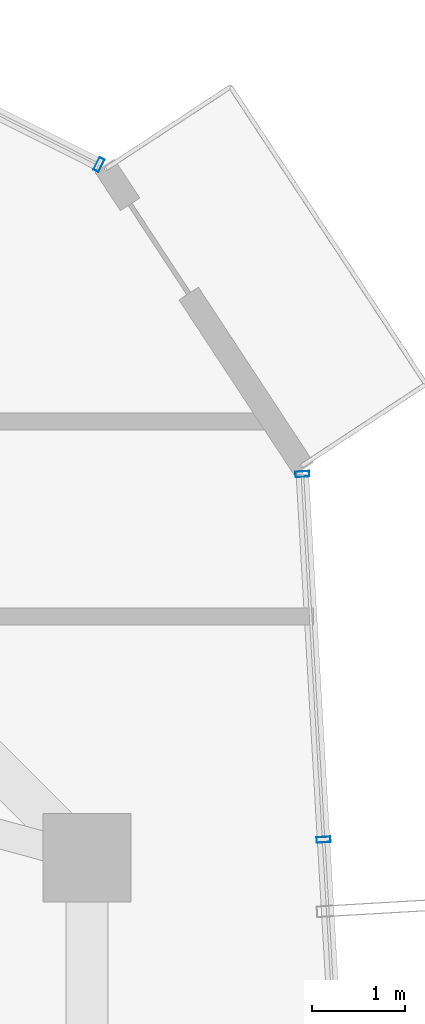
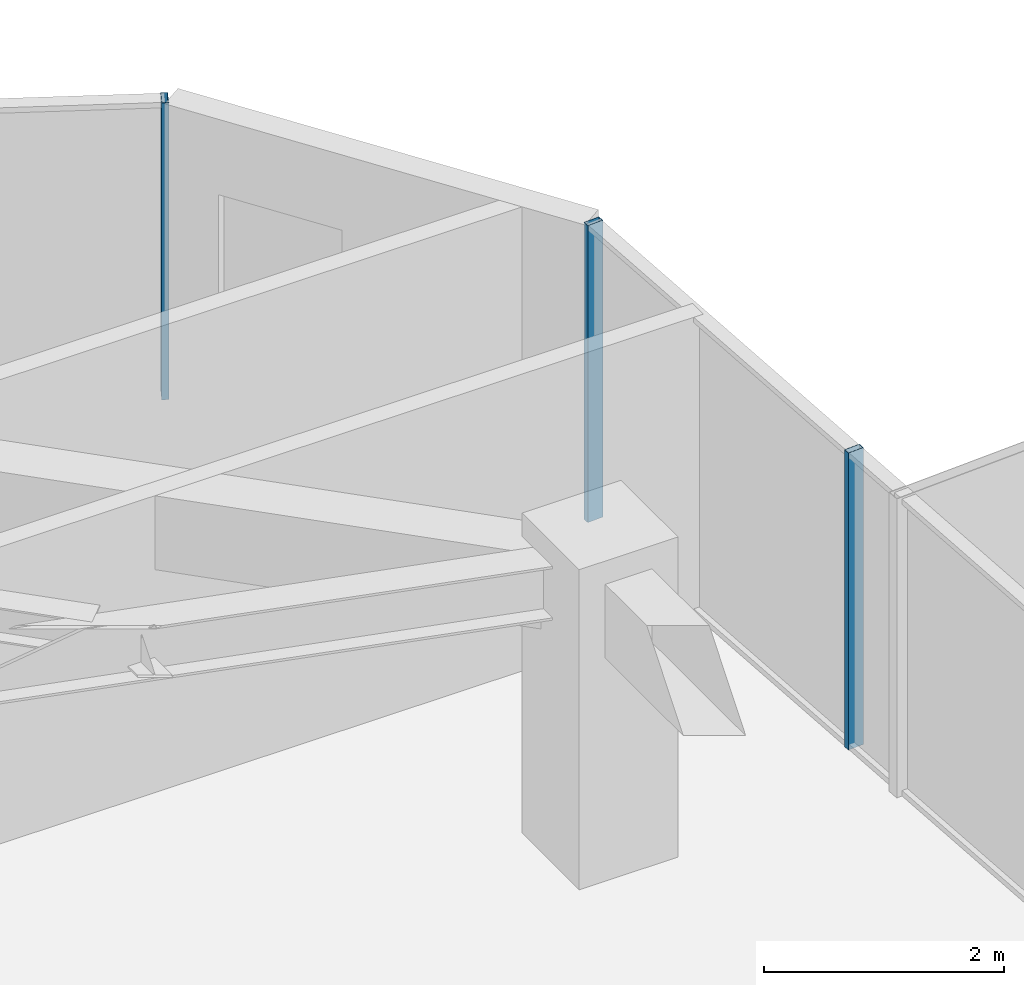
# One storey, part 21 of 33: 3 members, 2 elements without a shape of their own.
"""IFC4 building model written with IfcOpenShell, lengths in metres."""

from ifc_helpers import new_model, si_unit, direction, frame, origin, origin_2d, place, context, subcontext, project, spatial, hollow_rectangle, extrude, source, transform, mapped, material, layer, layer_set, material_profile, profile_set, type_object, element, aggregate, save


model = new_model("IFC4")

# Units and contexts
model_context = context("Model", 3, precision=1e-05, world=origin(), true_north=direction((0.0, 1.0)))
body_context = subcontext(model_context, "Body", "Model", "MODEL_VIEW")
ifc_project = project(units=[si_unit("LENGTHUNIT", "METRE"), si_unit("AREAUNIT", "SQUARE_METRE"), si_unit("VOLUMEUNIT", "CUBIC_METRE"), si_unit("PLANEANGLEUNIT", "RADIAN"), si_unit("MASSUNIT", "GRAM", prefix="KILO")], contexts=[model_context])

# Site, building, storey
site_placement = place(None, origin())
site = spatial("IfcSite", under=ifc_project, at=site_placement, CompositionType="ELEMENT")
building_placement = place(site_placement, origin())
building = spatial("IfcBuilding", under=site, at=building_placement, Name="Veraguas Prism Commons", CompositionType="ELEMENT")
storey_placement = place(building_placement, frame((0.0, 0.0, 195.10009765625)))
storey = spatial("IfcBuildingStorey", under=building, at=storey_placement, Name="L55", CompositionType="ELEMENT", Elevation=195.10009765625)

# Curtain wall, member
ifc_material = material(Name="Anodised aluminium EN AW-6063 T6", Category="aluminium")
ifc_layer = layer(ifc_material, 0.14990234375, Name="Unitised Flush Curtain Wall Zone 3", Category="aluminium")
ifc_layer_set = layer_set([ifc_layer], Name="Anodised aluminium EN AW-6063 T6")
curtain_wall_type = type_object("IfcCurtainWallType", Name="Unitised Flush Curtain Wall Zone 3", PredefinedType="NOTDEFINED", material=ifc_layer_set)
curtain_wall_1_placement = place(storey_placement, origin())
curtain_wall_1 = element("IfcCurtainWall", 1, at=curtain_wall_1_placement, inside=storey, type_object=curtain_wall_type, Name="Tower Facade Curtain Wall L55-F1", PredefinedType="NOTDEFINED")
ifc_material_profile = material_profile(ifc_material, hollow_rectangle(XDim=0.06005859375, YDim=0.14990234375, WallThickness=0.0029296875, at=origin_2d()), Name="AL60X150X3")
ifc_profile_set = profile_set([ifc_material_profile], Name="Anodised aluminium EN AW-6063 T6")
member_type = type_object("IfcMemberType", Name="Curtain Wall Mullion Upper AL 60x150x3", PredefinedType="MULLION", material=ifc_profile_set)
shared_shape = source(origin(), body_context, "Body", "SweptSolid", [
    extrude(hollow_rectangle(XDim=0.06005859375, YDim=0.14990234375, WallThickness=0.0029296875, at=origin_2d()), origin(), (0.0, 0.0, 1.0), 3.014892578125),
])
member_1_placement = place(storey_placement, frame((39.02978515625, 36.267822265625, 0.0), z_axis=(0.0, 0.0, 1.0), x_axis=(-0.893525824808, 0.449011804301, 0.0)))
member_1 = element("IfcMember", 2, at=member_1_placement, type_object=member_type, Name="CW-Z3 Mullion 1", PredefinedType="MULLION", context=body_context, shape_type="MappedRepresentation", body=[
    mapped(shared_shape, transform((0.0, 0.0, 0.0), scale=1.0)),
])
aggregate(curtain_wall_1, [member_1])

# Curtain wall, members
curtain_wall_2_placement = place(storey_placement, origin())
curtain_wall_2 = element("IfcCurtainWall", 3, at=curtain_wall_2_placement, inside=storey, type_object=curtain_wall_type, Name="Tower Facade Curtain Wall L55-F6", PredefinedType="NOTDEFINED")
member_2_placement = place(storey_placement, frame((41.4501953125, 28.99462890625, 0.0), z_axis=(0.0, 0.0, 1.0), x_axis=(-0.05790902568, 0.998321864303, 0.0)))
member_2 = element("IfcMember", 4, at=member_2_placement, type_object=member_type, Name="CW-Z3 Mullion 4", PredefinedType="MULLION", context=body_context, shape_type="MappedRepresentation", body=[
    mapped(shared_shape, transform((0.0, 0.0, 0.0), scale=1.0)),
])
member_3_placement = place(storey_placement, frame((41.2216796875, 32.93359375, 0.0), z_axis=(0.0, 0.0, 1.0), x_axis=(-0.05790902568, 0.998321864303, 0.0)))
member_3 = element("IfcMember", 5, at=member_3_placement, type_object=member_type, Name="CW-Z3 Mullion 5", PredefinedType="MULLION", context=body_context, shape_type="MappedRepresentation", body=[
    mapped(shared_shape, transform((0.0, 0.0, 0.0), scale=1.0)),
])
aggregate(curtain_wall_2, [member_2, member_3])

save(model, "model.ifc")
